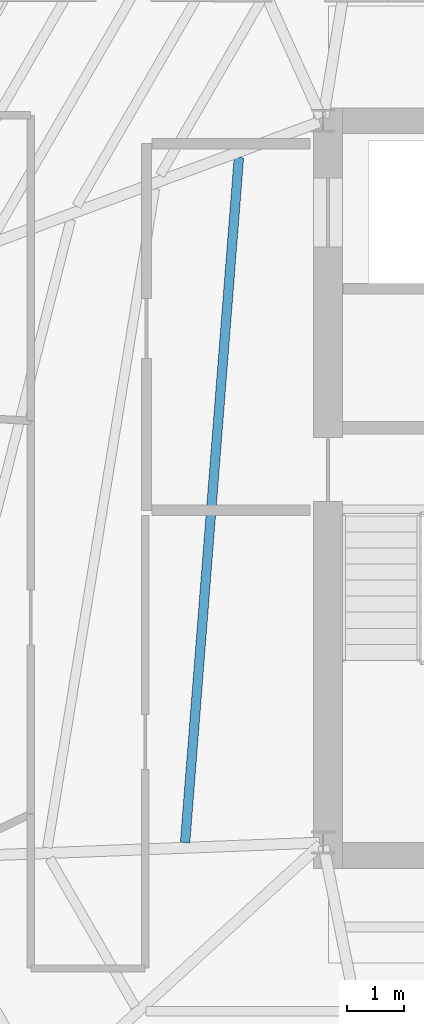
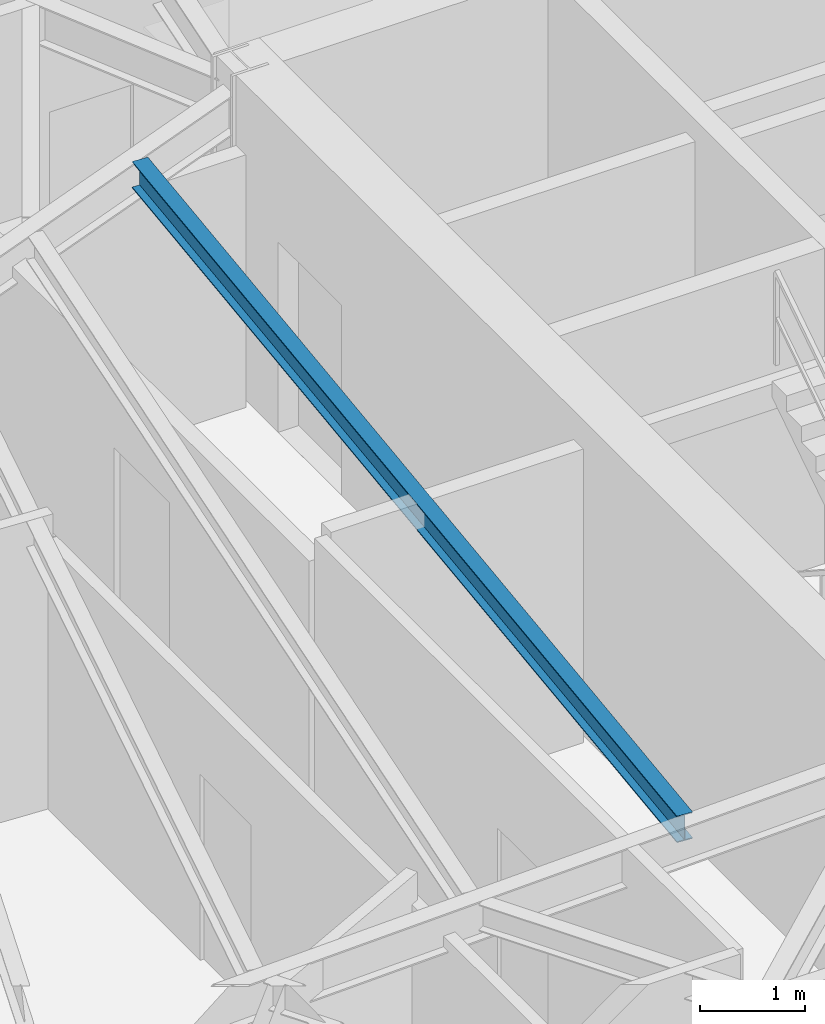
# One storey, part 13 of 40: 1 beam.
"""IFC4 building model written with IfcOpenShell, lengths in metres."""

from ifc_helpers import new_model, si_unit, direction, frame, origin, origin_2d, place, context, subcontext, project, spatial, i_section, extrude, source, transform, mapped, material, material_profile, profile_set, type_object, type_shapes, element, save


model = new_model("IFC4")

# Units and contexts
model_context = context("Model", 3, precision=1e-05, world=origin(), true_north=direction((0.0, 1.0)))
body_context = subcontext(model_context, "Body", "Model", "MODEL_VIEW")
ifc_project = project(units=[si_unit("LENGTHUNIT", "METRE"), si_unit("AREAUNIT", "SQUARE_METRE"), si_unit("VOLUMEUNIT", "CUBIC_METRE"), si_unit("PLANEANGLEUNIT", "RADIAN"), si_unit("MASSUNIT", "GRAM", prefix="KILO")], contexts=[model_context])

# Site, building, storey
site_placement = place(None, origin())
site = spatial("IfcSite", under=ifc_project, at=site_placement, CompositionType="ELEMENT")
building_placement = place(site_placement, origin())
building = spatial("IfcBuilding", under=site, at=building_placement, Name="Caelisora Broadcast Tower", CompositionType="ELEMENT")
storey_placement = place(building_placement, frame((0.0, 0.0, 213.25)))
storey = spatial("IfcBuildingStorey", under=building, at=storey_placement, Name="L56", CompositionType="ELEMENT", Elevation=213.25)

# Beam
ifc_material = material(Name="Steel Grade 350 (AS/NZS 3679.1)", Category="steel")
ifc_material_profile = material_profile(ifc_material, i_section(OverallWidth=0.166015625, OverallDepth=0.30712890625, WebThickness=0.006591796875, FlangeThickness=0.01171875, at=origin_2d()), Name="Steel Grade 350 (AS/NZS 3679.1)")
ifc_profile_set = profile_set([ifc_material_profile], Name="Steel Grade 350 (AS/NZS 3679.1)")
beam_type = type_object("IfcBeamType", Name="SB03", PredefinedType="JOIST", material=ifc_profile_set)
shared_shape = source(origin(), body_context, "Body", "SweptSolid", [
    extrude(i_section(OverallWidth=0.166015625, OverallDepth=0.30712890625, WebThickness=0.006591796875, FlangeThickness=0.01171875, at=origin_2d()), origin(), (0.0, 0.0, 1.0), 11.995361328125),
])
type_shapes(beam_type, [shared_shape])
beam_placement = place(storey_placement, frame((29.03466796875, 29.35888671875, 3.246337890625), z_axis=(-0.078297940563, -0.996930003813, 0.0), x_axis=(0.996930003813, -0.078297940563, 0.0)))
element("IfcBeam", 1, at=beam_placement, inside=storey, type_object=beam_type, Name="L56 beam SB03", PredefinedType="JOIST", context=body_context, shape_type="MappedRepresentation", body=[
    mapped(shared_shape, transform((0.0, 0.0, 0.0), scale=1.0)),
])

save(model, "model.ifc")
